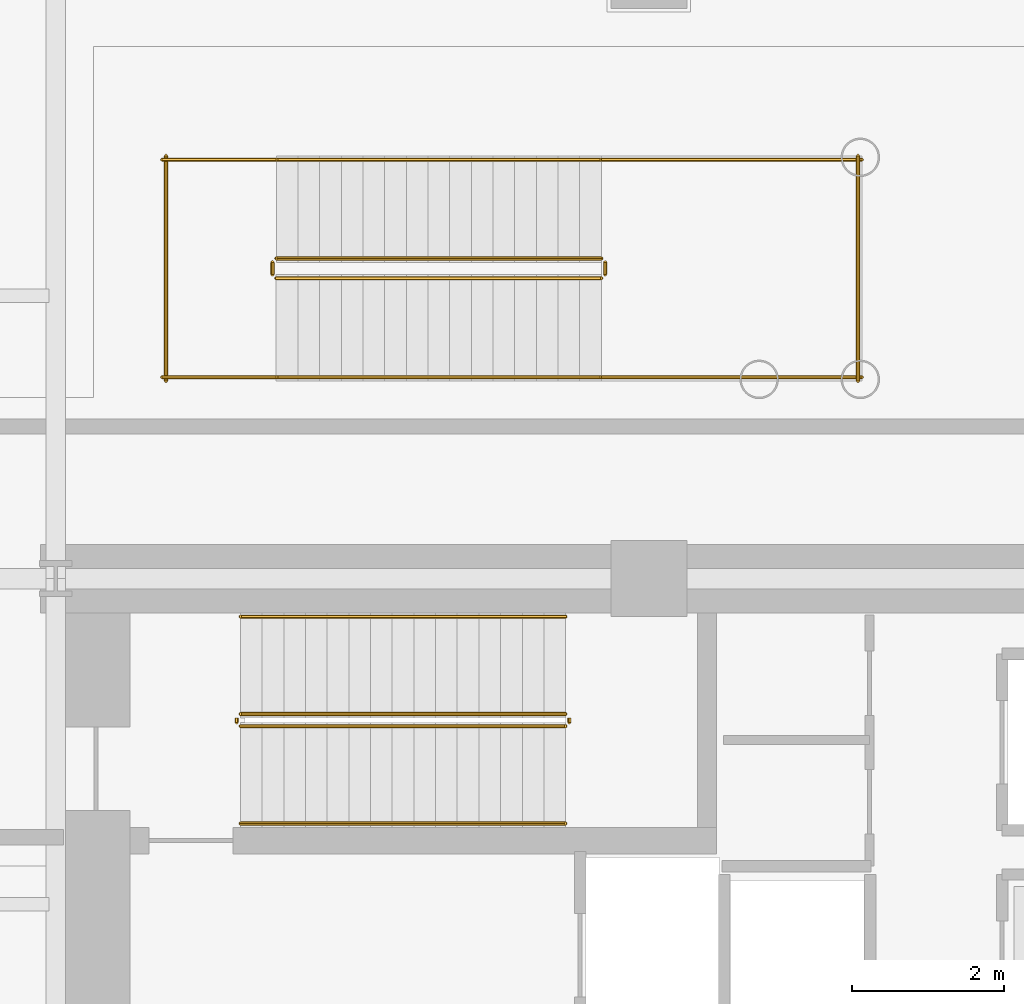
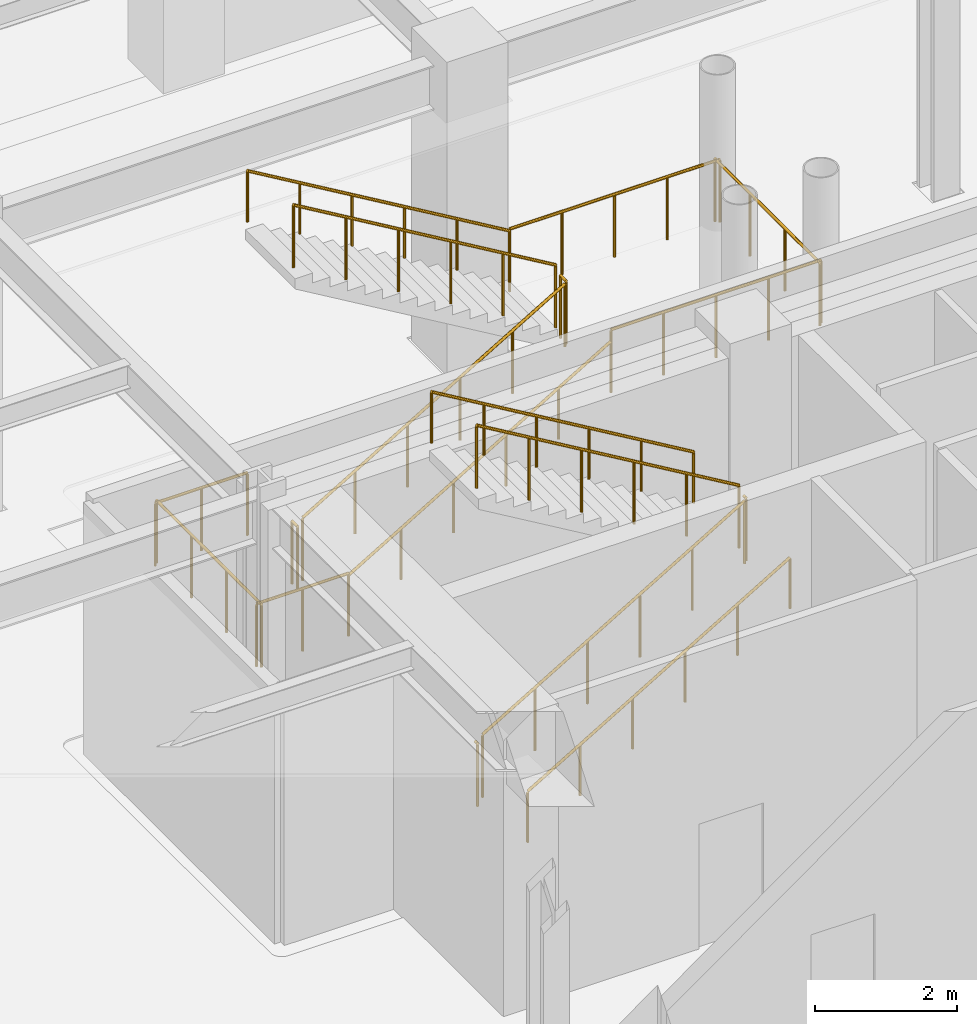
# One storey, part 26 of 27: 18 railings.
"""IFC4 building model written with IfcOpenShell, lengths in metres."""

import ifcopenshell
import ifcopenshell.guid

model = None  # the IFC model being written
_history = None  # IfcOwnerHistory: only IFC2X3 demands one
_inside = {}  # id of a spatial element -> (the spatial element, [elements in it])
_under = {}  # id of a project, library or spatial element -> (it, [spatial elements below it])
_declared = {}  # id of a project -> (the project, [libraries it declares])
_typed = {}  # id of a type object -> (the type object, [elements of that type])
_made_of = {}  # id of a material, layer set ... -> (it, [elements and type objects made of it])


def new_model(schema):
    """Start an empty IFC model of exactly this schema.

    Asked for "IFC4X3", IfcOpenShell would pick the latest addendum, in which some entities
    have other attributes; the version numbers below select the first issue.
    IFC2X3 requires an IfcOwnerHistory on every rooted entity: one is made here for all.
    """
    global model, _history
    if schema == "IFC4X3":
        model = ifcopenshell.file(schema_version=(4, 3, 0, 0))
    else:
        model = ifcopenshell.file(schema=schema)
    _inside.clear()
    _under.clear()
    _declared.clear()
    _typed.clear()
    _made_of.clear()
    _history = None
    if model.schema == "IFC2X3":
        org = make("IfcOrganization", Name="unknown")
        user = make(
            "IfcPersonAndOrganization",
            ThePerson=make("IfcPerson", FamilyName="unknown"),
            TheOrganization=org,
        )
        app = make(
            "IfcApplication",
            ApplicationDeveloper=org,
            Version="unknown",
            ApplicationFullName="unknown",
            ApplicationIdentifier="unknown",
        )
        _history = make(
            "IfcOwnerHistory",
            OwningUser=user,
            OwningApplication=app,
            ChangeAction="ADDED",
            CreationDate=0,
        )
    return model


def make(cls, **values):
    """One entity of the class cls with the attributes given. An attribute that is None is left unset."""
    return model.create_entity(
        cls, **{name: value for name, value in values.items() if value is not None}
    )


def rooted(cls, **values):
    """An entity with a GlobalId (a new one), such as an element, a storey or a relation."""
    return make(cls, GlobalId=ifcopenshell.guid.new(), OwnerHistory=_history, **values)


def si_unit(unit_type, name, prefix=None):
    """IfcSIUnit, for example si_unit("LENGTHUNIT", "METRE", prefix="MILLI")."""
    return make("IfcSIUnit", UnitType=unit_type, Prefix=prefix, Name=name)


def assignment(units):
    """IfcUnitAssignment: the units of a project."""
    return None if units is None else make("IfcUnitAssignment", Units=units)


def point(xyz):
    """IfcCartesianPoint."""
    return None if xyz is None else make("IfcCartesianPoint", Coordinates=xyz)


def direction(xyz):
    """IfcDirection."""
    return None if xyz is None else make("IfcDirection", DirectionRatios=xyz)


def frame(location, z_axis=None, x_axis=None):
    """IfcAxis2Placement3D, a coordinate frame: its origin and axes. An axis left out is left unset."""
    return make(
        "IfcAxis2Placement3D",
        Location=point(location),
        Axis=direction(z_axis),
        RefDirection=direction(x_axis),
    )


def frame_2d(location, x_axis=None):
    """IfcAxis2Placement2D, a coordinate frame in the plane: its origin and x axis."""
    return make(
        "IfcAxis2Placement2D", Location=point(location), RefDirection=direction(x_axis)
    )


def origin():
    """The frame at (0, 0, 0) with its axes left unset."""
    return frame((0.0, 0.0, 0.0))


def origin_2d():
    """The frame at (0, 0) in the plane with its x axis left unset."""
    return frame_2d((0.0, 0.0))


def place(relative_to, where):
    """IfcLocalPlacement: puts the frame where relative to a parent placement (None: the world)."""
    return make(
        "IfcLocalPlacement", PlacementRelTo=relative_to, RelativePlacement=where
    )


def context(
    kind, dimensions, precision=None, world=None, true_north=None, identifier=None
):
    """IfcGeometricRepresentationContext, for example the 3D "Model" context."""
    return make(
        "IfcGeometricRepresentationContext",
        ContextIdentifier=identifier,
        ContextType=kind,
        CoordinateSpaceDimension=dimensions,
        Precision=precision,
        WorldCoordinateSystem=world,
        TrueNorth=true_north,
    )


def subcontext(parent, identifier, kind, view, scale=None):
    """IfcGeometricRepresentationSubContext, for example "Body" below "Model"."""
    return make(
        "IfcGeometricRepresentationSubContext",
        ContextIdentifier=identifier,
        ContextType=kind,
        ParentContext=parent,
        TargetScale=scale,
        TargetView=view,
    )


def project(units=None, contexts=None):
    """IfcProject with its units and contexts."""
    return rooted(
        "IfcProject",
        Name="project",
        RepresentationContexts=contexts,
        UnitsInContext=assignment(units),
    )


def spatial(cls, under=None, at=None, **own):
    """A site, building, storey or space (cls), placed at a placement, below another one or the project."""
    s = rooted(cls, ObjectPlacement=at, **own)
    if under is not None:
        _under.setdefault(under.id(), (under, []))[1].append(s)
    return s


def profile(cls, at=None, kind="AREA", **sizes):
    """A parametric profile (cls). Its sizes go by their IFC names, for example OverallWidth=200.0."""
    return make(cls, ProfileType=kind, Position=at, **sizes)


def circle(**sizes):
    """IfcCircleProfileDef."""
    return profile("IfcCircleProfileDef", **sizes)


def extrude(swept, where, along, depth):
    """IfcExtrudedAreaSolid: the profile swept, set in the frame where, extruded along a direction by depth."""
    return make(
        "IfcExtrudedAreaSolid",
        SweptArea=swept,
        Position=where,
        ExtrudedDirection=direction(along),
        Depth=depth,
    )


def shape(context_of_items, identifier, shape_type, items):
    """IfcShapeRepresentation: the items that make up one representation, for example the "Body"."""
    return make(
        "IfcShapeRepresentation",
        ContextOfItems=context_of_items,
        RepresentationIdentifier=identifier,
        RepresentationType=shape_type,
        Items=items,
    )


def material(Name=None, Category=None):
    """IfcMaterial."""
    return make("IfcMaterial", Name=Name, Category=Category)


def made_of(thing, what):
    """Note that an element or type object is made of a material, layer set ...; save() writes the relation."""
    if what is not None:
        _made_of.setdefault(what.id(), (what, []))[1].append(thing)
    return thing


def type_object(cls, material=None, **own):
    """A type object (cls), such as IfcWallType, which elements share."""
    return made_of(rooted(cls, **own), material)


def element(
    cls,
    number,
    at=None,
    inside=None,
    cuts=None,
    type_object=None,
    material=None,
    context=None,
    identifier="Body",
    shape_type=None,
    held_by="IfcProductDefinitionShape",
    body=None,
    shapes=None,
    **own,
):
    """One element of the class cls, such as IfcWall. Its Tag is "e" and its number.

    at: its placement. inside: the storey or other place that contains it. cuts: it is an
    opening in that element (IfcRelVoidsElement). A single representation is given by context,
    identifier, shape_type and body (its items); several are given by shapes. held_by: the class
    of the entity that holds the representations. save() writes the other relations.
    """
    e = rooted(cls, Tag="e%d" % number, ObjectPlacement=at, **own)
    if body is not None:
        shapes = [shape(context, identifier, shape_type, body)]
    if shapes is not None:
        e.Representation = make(held_by, Representations=shapes)
    if inside is not None:
        _inside.setdefault(inside.id(), (inside, []))[1].append(e)
    if cuts is not None:
        rooted(
            "IfcRelVoidsElement", RelatingBuildingElement=cuts, RelatedOpeningElement=e
        )
    if type_object is not None:
        _typed.setdefault(type_object.id(), (type_object, []))[1].append(e)
    return made_of(e, material)


def aggregate(whole, parts):
    """IfcRelAggregates: a whole, such as a stair, and the parts it consists of."""
    return rooted("IfcRelAggregates", RelatingObject=whole, RelatedObjects=parts)


def save(model, path):
    """Write the relations noted so far, then the file.

    IfcRelAggregates (storeys below a building ...), IfcRelContainedInSpatialStructure (elements
    in a storey), IfcRelDefinesByType, IfcRelAssociatesMaterial and IfcRelDeclares: one each for
    every whole, place, type object, material and project.
    """
    for whole, parts in _under.values():
        aggregate(whole, parts)
    for where, things in _inside.values():
        rooted(
            "IfcRelContainedInSpatialStructure",
            RelatedElements=things,
            RelatingStructure=where,
        )
    for kind, things in _typed.values():
        rooted("IfcRelDefinesByType", RelatedObjects=things, RelatingType=kind)
    for what, things in _made_of.values():
        rooted("IfcRelAssociatesMaterial", RelatedObjects=things, RelatingMaterial=what)
    for by, libraries in _declared.values():
        rooted("IfcRelDeclares", RelatingContext=by, RelatedDefinitions=libraries)
    model.write(path)


model = new_model("IFC4")

# Units and contexts
model_context = context("Model", 3, precision=1e-05, world=origin(), true_north=direction((0.0, 1.0)))
body_context = subcontext(model_context, "Body", "Model", "MODEL_VIEW")
ifc_project = project(units=[si_unit("LENGTHUNIT", "METRE"), si_unit("AREAUNIT", "SQUARE_METRE"), si_unit("VOLUMEUNIT", "CUBIC_METRE"), si_unit("PLANEANGLEUNIT", "RADIAN"), si_unit("MASSUNIT", "GRAM", prefix="KILO")], contexts=[model_context])

# Site, building, storey
site_placement = place(None, origin())
site = spatial("IfcSite", under=ifc_project, at=site_placement, CompositionType="ELEMENT")
building_placement = place(site_placement, origin())
building = spatial("IfcBuilding", under=site, at=building_placement, Name="Veymaron Broadcast Tower", CompositionType="ELEMENT")
storey_placement = place(building_placement, origin())
storey = spatial("IfcBuildingStorey", under=building, at=storey_placement, Name="L00", CompositionType="ELEMENT", Elevation=0.0)

# Railings
ifc_material_1 = material(Name="Brushed stainless steel AISI 304", Category="steel")
railing_type_1 = type_object("IfcRailingType", Name="RAIL-STAIR-HR", PredefinedType="HANDRAIL", material=ifc_material_1)
railing_1_placement = place(storey_placement, frame((41.429931640625, 28.780029296875, 0.168701171875)))
element("IfcRailing", 1, at=railing_1_placement, inside=storey, type_object=railing_type_1, Name="L00 ST1 stair handrail 1", PredefinedType="HANDRAIL", context=body_context, shape_type="SweptSolid", body=[
    extrude(circle(Radius=0.02392578125, at=origin_2d()), frame((0.0, 0.0, 0.8759765625), z_axis=(0.860483042394, 0.0, 0.50947908078), x_axis=(0.0, 1.0, 0.0)), (0.0, 0.0, 1.0), 4.96826171875),
    extrude(circle(Radius=0.02099609375, at=origin_2d()), origin(), (0.0, 0.0, 1.0), 0.851806640625),
    extrude(circle(Radius=0.02099609375, at=origin_2d()), frame((0.85498046875, 0.0, 0.50634765625)), (0.0, 0.0, 1.0), 0.851806640625),
    extrude(circle(Radius=0.02099609375, at=origin_2d()), frame((1.7099609375, 0.0, 1.012451171875)), (0.0, 0.0, 1.0), 0.851806640625),
    extrude(circle(Radius=0.02099609375, at=origin_2d()), frame((2.565185546875, 0.0, 1.518798828125)), (0.0, 0.0, 1.0), 0.851806640625),
    extrude(circle(Radius=0.02099609375, at=origin_2d()), frame((3.420166015625, 0.0, 2.02490234375)), (0.0, 0.0, 1.0), 0.851806640625),
    extrude(circle(Radius=0.02099609375, at=origin_2d()), frame((4.275146484375, 0.0, 2.53125)), (0.0, 0.0, 1.0), 0.851806640625),
])
railing_2_placement = place(storey_placement, frame((45.705078125, 31.5, 2.86865234375)))
element("IfcRailing", 2, at=railing_2_placement, inside=storey, type_object=railing_type_1, Name="L00 ST1 stair handrail 2", PredefinedType="HANDRAIL", context=body_context, shape_type="SweptSolid", body=[
    extrude(circle(Radius=0.02392578125, at=origin_2d()), frame((0.0, 0.0, 0.8759765625), z_axis=(-0.860483042394, 0.0, 0.50947908078), x_axis=(0.0, -1.0, 0.0)), (0.0, 0.0, 1.0), 4.96826171875),
    extrude(circle(Radius=0.02099609375, at=origin_2d()), origin(), (0.0, 0.0, 1.0), 0.851806640625),
    extrude(circle(Radius=0.02099609375, at=origin_2d()), frame((-0.85498046875, 0.0, 0.50634765625)), (0.0, 0.0, 1.0), 0.851806640625),
    extrude(circle(Radius=0.02099609375, at=origin_2d()), frame((-1.7099609375, 0.0, 1.012451171875)), (0.0, 0.0, 1.0), 0.851806640625),
    extrude(circle(Radius=0.02099609375, at=origin_2d()), frame((-2.565185546875, 0.0, 1.518798828125)), (0.0, 0.0, 1.0), 0.851806640625),
    extrude(circle(Radius=0.02099609375, at=origin_2d()), frame((-3.420166015625, 0.0, 2.02490234375)), (0.0, 0.0, 1.0), 0.851806640625),
    extrude(circle(Radius=0.02099609375, at=origin_2d()), frame((-4.275146484375, 0.0, 2.53125)), (0.0, 0.0, 1.0), 0.851806640625),
])
railing_3_placement = place(storey_placement, frame((41.89990234375, 34.64990234375, 0.168701171875)))
element("IfcRailing", 3, at=railing_3_placement, inside=storey, type_object=railing_type_1, Name="L00 STF1 stair handrail 1", PredefinedType="HANDRAIL", context=body_context, shape_type="SweptSolid", body=[
    extrude(circle(Radius=0.02392578125, at=origin_2d()), frame((0.0, 0.0, 0.8759765625), z_axis=(0.860483042394, 0.0, 0.50947908078), x_axis=(0.0, 1.0, 0.0)), (0.0, 0.0, 1.0), 4.96826171875),
    extrude(circle(Radius=0.02099609375, at=origin_2d()), origin(), (0.0, 0.0, 1.0), 0.851806640625),
    extrude(circle(Radius=0.02099609375, at=origin_2d()), frame((0.85498046875, 0.0, 0.50634765625)), (0.0, 0.0, 1.0), 0.851806640625),
    extrude(circle(Radius=0.02099609375, at=origin_2d()), frame((1.7099609375, 0.0, 1.012451171875)), (0.0, 0.0, 1.0), 0.851806640625),
    extrude(circle(Radius=0.02099609375, at=origin_2d()), frame((2.565185546875, 0.0, 1.518798828125)), (0.0, 0.0, 1.0), 0.851806640625),
    extrude(circle(Radius=0.02099609375, at=origin_2d()), frame((3.420166015625, 0.0, 2.02490234375)), (0.0, 0.0, 1.0), 0.851806640625),
    extrude(circle(Radius=0.02099609375, at=origin_2d()), frame((4.275146484375, 0.0, 2.53125)), (0.0, 0.0, 1.0), 0.851806640625),
])
railing_4_placement = place(storey_placement, frame((46.175048828125, 37.510009765625, 2.86865234375)))
element("IfcRailing", 4, at=railing_4_placement, inside=storey, type_object=railing_type_1, Name="L00 STF1 stair handrail 2", PredefinedType="HANDRAIL", context=body_context, shape_type="SweptSolid", body=[
    extrude(circle(Radius=0.02392578125, at=origin_2d()), frame((0.0, 0.0, 0.8759765625), z_axis=(-0.860483042394, 0.0, 0.50947908078), x_axis=(0.0, -1.0, 0.0)), (0.0, 0.0, 1.0), 4.96826171875),
    extrude(circle(Radius=0.02099609375, at=origin_2d()), origin(), (0.0, 0.0, 1.0), 0.851806640625),
    extrude(circle(Radius=0.02099609375, at=origin_2d()), frame((-0.85498046875, 0.0, 0.50634765625)), (0.0, 0.0, 1.0), 0.851806640625),
    extrude(circle(Radius=0.02099609375, at=origin_2d()), frame((-1.7099609375, 0.0, 1.012451171875)), (0.0, 0.0, 1.0), 0.851806640625),
    extrude(circle(Radius=0.02099609375, at=origin_2d()), frame((-2.565185546875, 0.0, 1.518798828125)), (0.0, 0.0, 1.0), 0.851806640625),
    extrude(circle(Radius=0.02099609375, at=origin_2d()), frame((-3.420166015625, 0.0, 2.02490234375)), (0.0, 0.0, 1.0), 0.851806640625),
    extrude(circle(Radius=0.02099609375, at=origin_2d()), frame((-4.275146484375, 0.0, 2.53125)), (0.0, 0.0, 1.0), 0.851806640625),
])
ifc_material_2 = material(Name="Painted galvanized steel balustrade", Category="steel")
railing_type_2 = type_object("IfcRailingType", Name="RAIL-WELL-GRD", PredefinedType="GUARDRAIL", material=ifc_material_2)
railing_5_placement = place(storey_placement, frame((41.429931640625, 30.06005859375, 0.168701171875)))
element("IfcRailing", 5, at=railing_5_placement, inside=storey, type_object=railing_type_2, Name="L00 ST1 stair guard 1", PredefinedType="GUARDRAIL", context=body_context, shape_type="SweptSolid", body=[
    extrude(circle(Radius=0.02392578125, at=origin_2d()), frame((0.0, 0.0, 1.076171875), z_axis=(0.860483042394, 0.0, 0.50947908078), x_axis=(0.0, 1.0, 0.0)), (0.0, 0.0, 1.0), 4.96826171875),
    extrude(circle(Radius=0.02099609375, at=origin_2d()), origin(), (0.0, 0.0, 1.0), 1.052001953125),
    extrude(circle(Radius=0.02099609375, at=origin_2d()), frame((0.85498046875, 0.0, 0.50634765625)), (0.0, 0.0, 1.0), 1.052001953125),
    extrude(circle(Radius=0.02099609375, at=origin_2d()), frame((1.7099609375, 0.0, 1.012451171875)), (0.0, 0.0, 1.0), 1.052001953125),
    extrude(circle(Radius=0.02099609375, at=origin_2d()), frame((2.565185546875, 0.0, 1.518798828125)), (0.0, 0.0, 1.0), 1.052001953125),
    extrude(circle(Radius=0.02099609375, at=origin_2d()), frame((3.420166015625, 0.0, 2.02490234375)), (0.0, 0.0, 1.0), 1.052001953125),
    extrude(circle(Radius=0.02099609375, at=origin_2d()), frame((4.275146484375, 0.0, 2.53125)), (0.0, 0.0, 1.0), 1.052001953125),
])
railing_6_placement = place(storey_placement, frame((45.7548828125, 30.110107421875, 2.699951171875)))
element("IfcRailing", 6, at=railing_6_placement, inside=storey, type_object=railing_type_2, Name="L00 ST1 stair guard 2", PredefinedType="GUARDRAIL", context=body_context, shape_type="SweptSolid", body=[
    extrude(circle(Radius=0.02392578125, at=origin_2d()), frame((0.0, 0.0, 1.076171875), z_axis=(0.0, 1.0, 0.0), x_axis=(-1.0, 0.0, 0.0)), (0.0, 0.0, 1.0), 0.059814453125),
    extrude(circle(Radius=0.02099609375, at=origin_2d()), origin(), (0.0, 0.0, 1.0), 1.052001953125),
])
railing_7_placement = place(storey_placement, frame((45.705078125, 30.219970703125, 2.86865234375)))
element("IfcRailing", 7, at=railing_7_placement, inside=storey, type_object=railing_type_2, Name="L00 ST1 stair guard 3", PredefinedType="GUARDRAIL", context=body_context, shape_type="SweptSolid", body=[
    extrude(circle(Radius=0.02392578125, at=origin_2d()), frame((0.0, 0.0, 1.076171875), z_axis=(-0.860483042394, 0.0, 0.50947908078), x_axis=(0.0, -1.0, 0.0)), (0.0, 0.0, 1.0), 4.96826171875),
    extrude(circle(Radius=0.02099609375, at=origin_2d()), origin(), (0.0, 0.0, 1.0), 1.052001953125),
    extrude(circle(Radius=0.02099609375, at=origin_2d()), frame((-0.85498046875, 0.0, 0.50634765625)), (0.0, 0.0, 1.0), 1.052001953125),
    extrude(circle(Radius=0.02099609375, at=origin_2d()), frame((-1.7099609375, 0.0, 1.012451171875)), (0.0, 0.0, 1.0), 1.052001953125),
    extrude(circle(Radius=0.02099609375, at=origin_2d()), frame((-2.565185546875, 0.0, 1.518798828125)), (0.0, 0.0, 1.0), 1.052001953125),
    extrude(circle(Radius=0.02099609375, at=origin_2d()), frame((-3.420166015625, 0.0, 2.02490234375)), (0.0, 0.0, 1.0), 1.052001953125),
    extrude(circle(Radius=0.02099609375, at=origin_2d()), frame((-4.275146484375, 0.0, 2.53125)), (0.0, 0.0, 1.0), 1.052001953125),
])
railing_8_placement = place(storey_placement, frame((41.3798828125, 30.110107421875, 0.0)))
element("IfcRailing", 8, at=railing_8_placement, inside=storey, type_object=railing_type_2, Name="L00 ST1 stair guard 4", PredefinedType="GUARDRAIL", context=body_context, shape_type="SweptSolid", body=[
    extrude(circle(Radius=0.02392578125, at=origin_2d()), frame((0.0, 0.0, 1.076171875), z_axis=(0.0, 1.0, 0.0), x_axis=(-1.0, 0.0, 0.0)), (0.0, 0.0, 1.0), 0.059814453125),
    extrude(circle(Radius=0.02099609375, at=origin_2d()), origin(), (0.0, 0.0, 1.0), 1.052001953125),
])
railing_9_placement = place(storey_placement, frame((41.89990234375, 35.949951171875, 0.168701171875)))
element("IfcRailing", 9, at=railing_9_placement, inside=storey, type_object=railing_type_2, Name="L00 STF1 stair guard 1", PredefinedType="GUARDRAIL", context=body_context, shape_type="SweptSolid", body=[
    extrude(circle(Radius=0.02392578125, at=origin_2d()), frame((0.0, 0.0, 1.076171875), z_axis=(0.860483042394, 0.0, 0.50947908078), x_axis=(0.0, 1.0, 0.0)), (0.0, 0.0, 1.0), 4.96826171875),
    extrude(circle(Radius=0.02099609375, at=origin_2d()), origin(), (0.0, 0.0, 1.0), 1.052001953125),
    extrude(circle(Radius=0.02099609375, at=origin_2d()), frame((0.85498046875, 0.0, 0.50634765625)), (0.0, 0.0, 1.0), 1.052001953125),
    extrude(circle(Radius=0.02099609375, at=origin_2d()), frame((1.7099609375, 0.0, 1.012451171875)), (0.0, 0.0, 1.0), 1.052001953125),
    extrude(circle(Radius=0.02099609375, at=origin_2d()), frame((2.565185546875, 0.0, 1.518798828125)), (0.0, 0.0, 1.0), 1.052001953125),
    extrude(circle(Radius=0.02099609375, at=origin_2d()), frame((3.420166015625, 0.0, 2.02490234375)), (0.0, 0.0, 1.0), 1.052001953125),
    extrude(circle(Radius=0.02099609375, at=origin_2d()), frame((4.275146484375, 0.0, 2.53125)), (0.0, 0.0, 1.0), 1.052001953125),
])
railing_10_placement = place(storey_placement, frame((46.22509765625, 36.0, 2.699951171875)))
element("IfcRailing", 10, at=railing_10_placement, inside=storey, type_object=railing_type_2, Name="L00 STF1 stair guard 2", PredefinedType="GUARDRAIL", context=body_context, shape_type="SweptSolid", body=[
    extrude(circle(Radius=0.02392578125, at=origin_2d()), frame((0.0, 0.0, 1.076171875), z_axis=(0.0, 1.0, 0.0), x_axis=(-1.0, 0.0, 0.0)), (0.0, 0.0, 1.0), 0.159912109375),
    extrude(circle(Radius=0.02099609375, at=origin_2d()), origin(), (0.0, 0.0, 1.0), 1.052001953125),
    extrude(circle(Radius=0.02099609375, at=origin_2d()), frame((0.0, 0.159912109375, 0.0)), (0.0, 0.0, 1.0), 1.052001953125),
])
for number, where, name in (
    (11, (46.175048828125, 34.64990234375, 2.699951171875), "L00 STF1 stair guard 3"),
    (12, (46.175048828125, 37.510009765625, 2.699951171875), "L00 STF1 stair guard 4"),
):
    element("IfcRailing", number, at=place(storey_placement, frame(where)), inside=storey, type_object=railing_type_2, Name=name, PredefinedType="GUARDRAIL", context=body_context, shape_type="SweptSolid", body=[
        extrude(circle(Radius=0.02392578125, at=origin_2d()), frame((0.0, 0.0, 1.076171875), z_axis=(1.0, 0.0, 0.0), x_axis=(0.0, 1.0, 0.0)), (0.0, 0.0, 1.0), 3.425048828125),
        extrude(circle(Radius=0.02099609375, at=origin_2d()), origin(), (0.0, 0.0, 1.0), 1.052001953125),
        extrude(circle(Radius=0.02099609375, at=origin_2d()), frame((0.856201171875, 0.0, 0.0)), (0.0, 0.0, 1.0), 1.052001953125),
        extrude(circle(Radius=0.02099609375, at=origin_2d()), frame((1.71240234375, 0.0, 0.0)), (0.0, 0.0, 1.0), 1.052001953125),
        extrude(circle(Radius=0.02099609375, at=origin_2d()), frame((2.56884765625, 0.0, 0.0)), (0.0, 0.0, 1.0), 1.052001953125),
        extrude(circle(Radius=0.02099609375, at=origin_2d()), frame((3.425048828125, 0.0, 0.0)), (0.0, 0.0, 1.0), 1.052001953125),
    ])
railing_11_placement = place(storey_placement, frame((49.550048828125, 34.60009765625, 2.699951171875)))
element("IfcRailing", 13, at=railing_11_placement, inside=storey, type_object=railing_type_2, Name="L00 STF1 stair guard 5", PredefinedType="GUARDRAIL", context=body_context, shape_type="SweptSolid", body=[
    extrude(circle(Radius=0.02392578125, at=origin_2d()), frame((0.0, 0.0, 1.076171875), z_axis=(0.0, 1.0, 0.0), x_axis=(-1.0, 0.0, 0.0)), (0.0, 0.0, 1.0), 2.9599609375),
    extrude(circle(Radius=0.02099609375, at=origin_2d()), origin(), (0.0, 0.0, 1.0), 1.052001953125),
    extrude(circle(Radius=0.02099609375, at=origin_2d()), frame((0.0, 0.986572265625, 0.0)), (0.0, 0.0, 1.0), 1.052001953125),
    extrude(circle(Radius=0.02099609375, at=origin_2d()), frame((0.0, 1.973388671875, 0.0)), (0.0, 0.0, 1.0), 1.052001953125),
    extrude(circle(Radius=0.02099609375, at=origin_2d()), frame((0.0, 2.9599609375, 0.0)), (0.0, 0.0, 1.0), 1.052001953125),
])
railing_12_placement = place(storey_placement, frame((46.175048828125, 36.2099609375, 2.86865234375)))
element("IfcRailing", 14, at=railing_12_placement, inside=storey, type_object=railing_type_2, Name="L00 STF1 stair guard 6", PredefinedType="GUARDRAIL", context=body_context, shape_type="SweptSolid", body=[
    extrude(circle(Radius=0.02392578125, at=origin_2d()), frame((0.0, 0.0, 1.076171875), z_axis=(-0.860483042394, 0.0, 0.50947908078), x_axis=(0.0, -1.0, 0.0)), (0.0, 0.0, 1.0), 4.96826171875),
    extrude(circle(Radius=0.02099609375, at=origin_2d()), origin(), (0.0, 0.0, 1.0), 1.052001953125),
    extrude(circle(Radius=0.02099609375, at=origin_2d()), frame((-0.85498046875, 0.0, 0.50634765625)), (0.0, 0.0, 1.0), 1.052001953125),
    extrude(circle(Radius=0.02099609375, at=origin_2d()), frame((-1.7099609375, 0.0, 1.012451171875)), (0.0, 0.0, 1.0), 1.052001953125),
    extrude(circle(Radius=0.02099609375, at=origin_2d()), frame((-2.565185546875, 0.0, 1.518798828125)), (0.0, 0.0, 1.0), 1.052001953125),
    extrude(circle(Radius=0.02099609375, at=origin_2d()), frame((-3.420166015625, 0.0, 2.02490234375)), (0.0, 0.0, 1.0), 1.052001953125),
    extrude(circle(Radius=0.02099609375, at=origin_2d()), frame((-4.275146484375, 0.0, 2.53125)), (0.0, 0.0, 1.0), 1.052001953125),
])
railing_13_placement = place(storey_placement, frame((41.85009765625, 36.0, 0.0)))
element("IfcRailing", 15, at=railing_13_placement, inside=storey, type_object=railing_type_2, Name="L00 STF1 stair guard 7", PredefinedType="GUARDRAIL", context=body_context, shape_type="SweptSolid", body=[
    extrude(circle(Radius=0.02392578125, at=origin_2d()), frame((0.0, 0.0, 1.076171875), z_axis=(0.0, 1.0, 0.0), x_axis=(-1.0, 0.0, 0.0)), (0.0, 0.0, 1.0), 0.159912109375),
    extrude(circle(Radius=0.02099609375, at=origin_2d()), origin(), (0.0, 0.0, 1.0), 1.052001953125),
    extrude(circle(Radius=0.02099609375, at=origin_2d()), frame((0.0, 0.159912109375, 0.0)), (0.0, 0.0, 1.0), 1.052001953125),
])
for number, where, name in (
    (16, (40.39990234375, 34.64990234375, 0.0), "L00 STF1 stair guard 8"),
    (17, (40.39990234375, 37.510009765625, 0.0), "L00 STF1 stair guard 9"),
):
    element("IfcRailing", number, at=place(storey_placement, frame(where)), inside=storey, type_object=railing_type_2, Name=name, PredefinedType="GUARDRAIL", context=body_context, shape_type="SweptSolid", body=[
        extrude(circle(Radius=0.02392578125, at=origin_2d()), frame((0.0, 0.0, 1.076171875), z_axis=(1.0, 0.0, 0.0), x_axis=(0.0, 1.0, 0.0)), (0.0, 0.0, 1.0), 1.5),
        extrude(circle(Radius=0.02099609375, at=origin_2d()), origin(), (0.0, 0.0, 1.0), 1.052001953125),
        extrude(circle(Radius=0.02099609375, at=origin_2d()), frame((0.75, 0.0, 0.0)), (0.0, 0.0, 1.0), 1.052001953125),
        extrude(circle(Radius=0.02099609375, at=origin_2d()), frame((1.5, 0.0, 0.0)), (0.0, 0.0, 1.0), 1.052001953125),
    ])
railing_14_placement = place(storey_placement, frame((40.449951171875, 34.60009765625, 0.0)))
element("IfcRailing", 18, at=railing_14_placement, inside=storey, type_object=railing_type_2, Name="L00 STF1 stair guard 10", PredefinedType="GUARDRAIL", context=body_context, shape_type="SweptSolid", body=[
    extrude(circle(Radius=0.02392578125, at=origin_2d()), frame((0.0, 0.0, 1.076171875), z_axis=(0.0, 1.0, 0.0), x_axis=(-1.0, 0.0, 0.0)), (0.0, 0.0, 1.0), 2.9599609375),
    extrude(circle(Radius=0.02099609375, at=origin_2d()), origin(), (0.0, 0.0, 1.0), 1.052001953125),
    extrude(circle(Radius=0.02099609375, at=origin_2d()), frame((0.0, 0.986572265625, 0.0)), (0.0, 0.0, 1.0), 1.052001953125),
    extrude(circle(Radius=0.02099609375, at=origin_2d()), frame((0.0, 1.973388671875, 0.0)), (0.0, 0.0, 1.0), 1.052001953125),
    extrude(circle(Radius=0.02099609375, at=origin_2d()), frame((0.0, 2.9599609375, 0.0)), (0.0, 0.0, 1.0), 1.052001953125),
])

save(model, "model.ifc")
